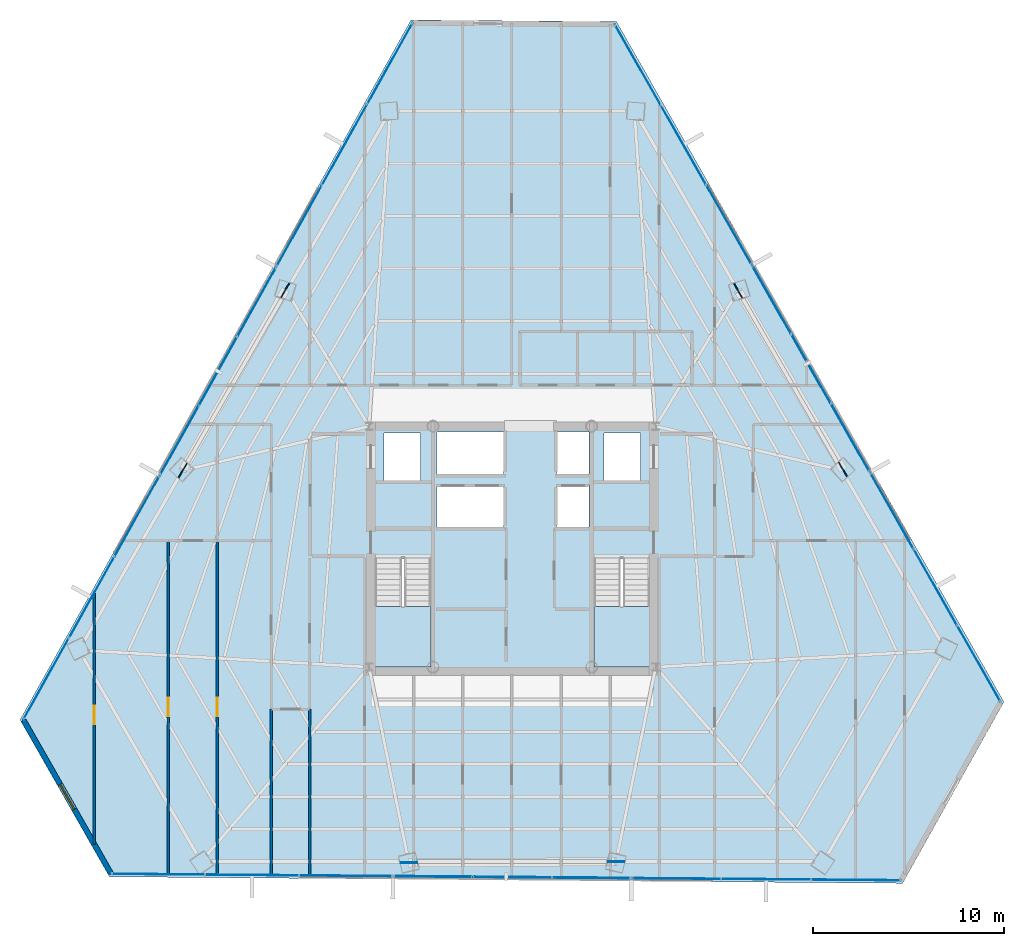
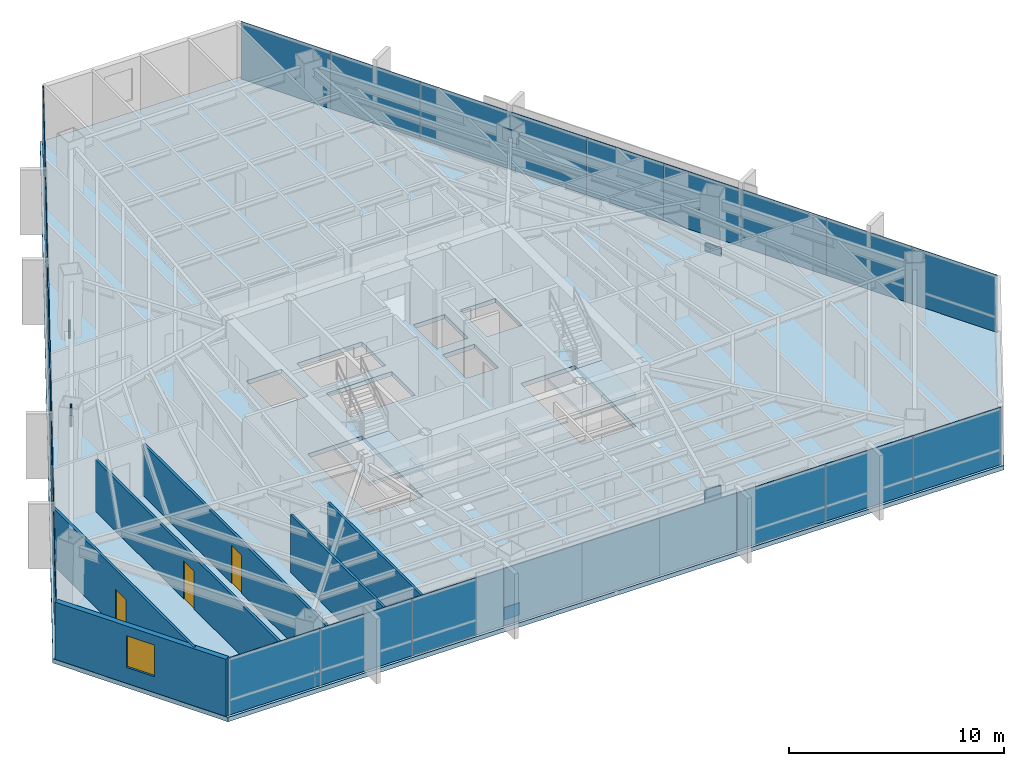
# One storey, part 33 of 40: 33 plates, 6 walls, 3 doors, 3 slabs, 1 window, 4 openings, 11 elements without a shape of their own.
"""IFC4 building model written with IfcOpenShell, lengths in metres."""

from ifc_helpers import new_model, si_unit, direction, frame, frame_2d, origin, origin_2d, place, context, subcontext, project, spatial, polyline, rectangle, outline, extrude, source, transform, mapped, material, layer, layer_set, type_object, type_shapes, element, fill, aggregate, save


model = new_model("IFC4")

# Units and contexts
model_context = context("Model", 3, precision=1e-05, world=origin(), true_north=direction((0.0, 1.0)))
body_context = subcontext(model_context, "Body", "Model", "MODEL_VIEW")
ifc_project = project(units=[si_unit("LENGTHUNIT", "METRE"), si_unit("AREAUNIT", "SQUARE_METRE"), si_unit("VOLUMEUNIT", "CUBIC_METRE"), si_unit("PLANEANGLEUNIT", "RADIAN"), si_unit("MASSUNIT", "GRAM", prefix="KILO")], contexts=[model_context])

# Site, building, storey
site_placement = place(None, origin())
site = spatial("IfcSite", under=ifc_project, at=site_placement, CompositionType="ELEMENT")
building_placement = place(site_placement, origin())
building = spatial("IfcBuilding", under=site, at=building_placement, Name="Caelisora Broadcast Tower", CompositionType="ELEMENT")
storey_placement = place(building_placement, frame((0.0, 0.0, 146.39990234375)))
storey = spatial("IfcBuildingStorey", under=building, at=storey_placement, Name="L38", CompositionType="ELEMENT", Elevation=146.39990234375)

# Slab
ifc_material_1 = material(Name="Concrete 40 MPa (AS 3600 N40)", Category="concrete")
ifc_layer_1 = layer(ifc_material_1, 0.25, Name="Concrete 40 MPa (AS 3600 N40)")
ifc_layer_set_1 = layer_set([ifc_layer_1], Name="Concrete 40 MPa (AS 3600 N40)")
slab_type_1 = type_object("IfcSlabType", Name="SL04", PredefinedType="FLOOR", material=ifc_layer_set_1)
slab_1_placement = place(storey_placement, frame((0.0, 0.0, -0.25)))
element("IfcSlab", 1, at=slab_1_placement, inside=storey, type_object=slab_type_1, Name="L38 suspended floor SL04", PredefinedType="FLOOR", context=body_context, shape_type="SweptSolid", body=[
    extrude(outline(polyline([(43.4560546875, 51.162109375), (32.697998046875, 51.2509765625), (12.2451171875, 14.64208984375), (16.922119140625, 6.430908203125), (58.41796875, 6.089111328125), (63.720947265625, 15.580078125), (43.4560546875, 51.162109375)]), holes=[polyline([(30.820068359375, 17.39990234375), (33.739990234375, 17.39990234375), (33.739990234375, 23.080078125), (30.820068359375, 23.080078125), (30.820068359375, 17.39990234375)]), polyline([(42.260009765625, 17.39990234375), (45.179931640625, 17.39990234375), (45.179931640625, 23.080078125), (42.260009765625, 23.080078125), (42.260009765625, 17.39990234375)]), polyline([(42.800048828125, 27.14990234375), (44.699951171875, 27.14990234375), (44.699951171875, 29.64990234375), (42.800048828125, 29.64990234375), (42.800048828125, 27.14990234375)]), polyline([(40.300048828125, 24.719970703125), (42.0, 24.719970703125), (42.0, 26.919921875), (40.300048828125, 26.919921875), (40.300048828125, 24.719970703125)]), polyline([(40.300048828125, 27.5), (42.0, 27.5), (42.0, 29.699951171875), (40.300048828125, 29.699951171875), (40.300048828125, 27.5)]), polyline([(34.050048828125, 24.719970703125), (37.550048828125, 24.719970703125), (37.550048828125, 26.919921875), (34.050048828125, 26.919921875), (34.050048828125, 24.719970703125)]), polyline([(34.050048828125, 27.5), (37.550048828125, 27.5), (37.550048828125, 29.699951171875), (34.050048828125, 29.699951171875), (34.050048828125, 27.5)]), polyline([(31.300048828125, 27.14990234375), (33.199951171875, 27.14990234375), (33.199951171875, 29.64990234375), (31.300048828125, 29.64990234375), (31.300048828125, 27.14990234375)])]), origin(), (0.0, 0.0, 1.0), 0.25),
])

# Stair, slab
stair_type_1 = type_object("IfcStairType", Name="ST-1", PredefinedType="HALF_TURN_STAIR", material=ifc_material_1)
stair_1_placement = place(storey_placement, origin())
stair_1 = element("IfcStair", 2, at=stair_1_placement, inside=storey, type_object=stair_type_1, Name="L38 West Fire-Isolated Tower Stair", PredefinedType="HALF_TURN_STAIR")
ifc_layer_2 = layer(ifc_material_1, 0.199951171875, Name="Concrete 40 MPa (AS 3600 N40)")
ifc_layer_set_2 = layer_set([ifc_layer_2], Name="Concrete 40 MPa (AS 3600 N40)")
slab_type_2 = type_object("IfcSlabType", Name="STL-1", PredefinedType="LANDING", material=ifc_layer_set_2)
slab_2_placement = place(storey_placement, frame((0.0, 0.0, 1.625)))
slab_2 = element("IfcSlab", 3, at=slab_2_placement, type_object=slab_type_2, Name="ST-1 landing 1", PredefinedType="LANDING", context=body_context, shape_type="SweptSolid", body=[
    extrude(outline(polyline([(30.820068359375, 20.580078125), (30.820068359375, 17.39990234375), (33.739990234375, 17.39990234375), (33.739990234375, 20.580078125), (30.820068359375, 20.580078125)])), origin(), (0.0, 0.0, 1.0), 0.2001953125),
])
aggregate(stair_1, [slab_2])

stair_type_2 = type_object("IfcStairType", Name="ST-2", PredefinedType="HALF_TURN_STAIR", material=ifc_material_1)
stair_2_placement = place(storey_placement, origin())
stair_2 = element("IfcStair", 4, at=stair_2_placement, inside=storey, type_object=stair_type_2, Name="L38 East Fire-Isolated Tower Stair", PredefinedType="HALF_TURN_STAIR")
slab_3_placement = place(storey_placement, frame((0.0, 0.0, 1.625)))
slab_3 = element("IfcSlab", 5, at=slab_3_placement, type_object=slab_type_2, Name="ST-2 landing 1", PredefinedType="LANDING", context=body_context, shape_type="SweptSolid", body=[
    extrude(outline(polyline([(42.260009765625, 20.580078125), (42.260009765625, 17.39990234375), (45.179931640625, 17.39990234375), (45.179931640625, 20.580078125), (42.260009765625, 20.580078125)])), origin(), (0.0, 0.0, 1.0), 0.2001953125),
])
aggregate(stair_2, [slab_3])

# Plates
ifc_material_2 = material(Name="Steel Grade 350 L15 (AS/NZS 3678)", Category="steel")
ifc_layer_3 = layer(ifc_material_2, 0.050048828125, Name="Steel Grade 350 L15 (AS/NZS 3678)")
ifc_layer_set_3 = layer_set([ifc_layer_3], Name="Steel Grade 350 L15 (AS/NZS 3678)")
plate_type_1 = type_object("IfcPlateType", Name="GP03", PredefinedType="USERDEFINED", material=ifc_layer_set_3)
shared_shape_1 = source(origin(), body_context, "Body", "SweptSolid", [
    extrude(rectangle(XDim=0.85009765625, YDim=0.050048828125, at=origin_2d()), origin(), (0.0, 0.0, 1.0), 0.699951171875),
])
type_shapes(plate_type_1, [shared_shape_1])
for number, where, z_axis, x_axis, name in (
    (6, (26.115478515625, 37.109375, -0.22998046875), (0.0, 0.0, 1.0), (-0.5, -0.866025403784, 0.0), "L38 gusset plate GP03 (ND-L38-C02B)"),
    (7, (20.75927734375, 27.687255859375, 2.580078125), (0.0, 0.0, 1.0), (-0.5, -0.866025403784, 0.0), "L38 gusset plate GP03 (ND-L38-C03T)"),
    (8, (32.589111328125, 7.153076171875, -0.22998046875), (0.0, 0.0, 1.0), (1.0, 0.0, 0.0), "L38 gusset plate GP03 (ND-L38-C06B)"),
    (9, (43.42724609375, 7.225341796875, 2.580078125), (0.0, 0.0, 1.0), (1.0, 0.0, 0.0), "L38 gusset plate GP03 (ND-L38-C07T)"),
    (10, (55.295166015625, 27.737548828125, -0.22998046875), (0.0, 0.0, 1.0), (-0.5, 0.866025403784, 0.0), "L38 gusset plate GP03 (ND-L38-C10B)"),
    (11, (49.813720703125, 37.08740234375, 2.580078125), (0.0, 0.0, 1.0), (-0.5, 0.866025403784, 0.0), "L38 gusset plate GP03 (ND-L38-C11T)"),
):
    element("IfcPlate", number, at=place(storey_placement, frame(where, z_axis=z_axis, x_axis=x_axis)), inside=storey, type_object=plate_type_1, Name=name, ObjectType="GUSSET PLATE", PredefinedType="USERDEFINED", context=body_context, shape_type="MappedRepresentation", body=[
        mapped(shared_shape_1, transform((0.0, 0.0, 0.0), scale=1.0)),
    ])

# Curtain wall, plates
ifc_material_3 = material(Name="Unitised Aluminium and Low-E Glass Curtain Wall", Category="glass")
curtain_wall_type_1 = type_object("IfcCurtainWallType", Name="CW-Z3", PredefinedType="NOTDEFINED", material=ifc_material_3)
curtain_wall_1_placement = place(storey_placement, origin())
curtain_wall_1 = element("IfcCurtainWall", 12, at=curtain_wall_1_placement, inside=storey, type_object=curtain_wall_type_1, Name="L38 curtain wall CW-Z3", PredefinedType="NOTDEFINED")
ifc_material_4 = material(Name="Double Glazed Low-E Argon IGU", Category="glass")
ifc_layer_4 = layer(ifc_material_4, 0.031982421875, Name="Double Glazed Low-E Argon IGU")
ifc_layer_set_4 = layer_set([ifc_layer_4], Name="Double Glazed Low-E Argon IGU")
plate_type_2 = type_object("IfcPlateType", Name="CWP-04", PredefinedType="CURTAIN_PANEL", material=ifc_layer_set_4)
shared_shape_2 = source(origin(), body_context, "Body", "SweptSolid", [
    extrude(rectangle(XDim=4.825439453125, YDim=0.031982421875, at=origin_2d()), origin(), (0.0, 0.0, 1.0), 3.25),
])
plate_1_placement = place(storey_placement, frame((44.56201171875, 48.91650390625, 0.0), z_axis=(0.0, 0.0, 1.0), x_axis=(0.494852128545, -0.868977198133, 0.0)))
plate_1 = element("IfcPlate", 13, at=plate_1_placement, type_object=plate_type_2, Name="L38-CW-B01 glazed panel #1", PredefinedType="CURTAIN_PANEL", context=body_context, shape_type="MappedRepresentation", body=[
    mapped(shared_shape_2, transform((0.0, 0.0, 0.0), scale=1.0)),
])
plate_2_placement = place(storey_placement, frame((46.9501953125, 44.723388671875, 0.0), z_axis=(0.0, 0.0, 1.0), x_axis=(0.494852128545, -0.868977198133, 0.0)))
plate_2 = element("IfcPlate", 14, at=plate_2_placement, type_object=plate_type_2, Name="L38-CW-B01 glazed panel #2", PredefinedType="CURTAIN_PANEL", context=body_context, shape_type="MappedRepresentation", body=[
    mapped(shared_shape_2, transform((0.0, 0.0, 0.0), scale=1.0)),
])
plate_3_placement = place(storey_placement, frame((49.33837890625, 40.530029296875, 0.0), z_axis=(0.0, 0.0, 1.0), x_axis=(0.494852128545, -0.868977198133, 0.0)))
plate_3 = element("IfcPlate", 15, at=plate_3_placement, type_object=plate_type_2, Name="L38-CW-B01 glazed panel #3", PredefinedType="CURTAIN_PANEL", context=body_context, shape_type="MappedRepresentation", body=[
    mapped(shared_shape_2, transform((0.0, 0.0, 0.0), scale=1.0)),
])
aggregate(curtain_wall_1, [plate_1, plate_2, plate_3])

ifc_material_5 = material(Name="Unitised Aluminium Insulated Shadow-Box Spandrel Curtain Wall", Category="aluminium")
curtain_wall_type_2 = type_object("IfcCurtainWallType", Name="CW-SP2", PredefinedType="NOTDEFINED", material=ifc_material_5)
curtain_wall_2_placement = place(storey_placement, origin())
curtain_wall_2 = element("IfcCurtainWall", 16, at=curtain_wall_2_placement, inside=storey, type_object=curtain_wall_type_2, Name="L38 curtain wall CW-SP2", PredefinedType="NOTDEFINED")
ifc_material_6 = material(Name="Insulated Terracotta Shadow-Box Spandrel Panel", Category="aluminium")
ifc_layer_5 = layer(ifc_material_6, 0.0439453125, Name="Insulated Terracotta Shadow-Box Spandrel Panel")
ifc_layer_set_5 = layer_set([ifc_layer_5], Name="Insulated Terracotta Shadow-Box Spandrel Panel")
plate_type_3 = type_object("IfcPlateType", Name="CWP-10", PredefinedType="CURTAIN_PANEL", material=ifc_layer_set_5)
shared_shape_3 = source(origin(), body_context, "Body", "SweptSolid", [
    extrude(rectangle(XDim=4.15380859375, YDim=0.0439453125, at=origin_2d()), origin(), (0.0, 0.0, 1.0), 3.25),
])
plate_4_placement = place(storey_placement, frame((51.565185546875, 36.6201171875, 0.0), z_axis=(0.0, 0.0, 1.0), x_axis=(0.494852128545, -0.868977198133, 0.0)))
plate_4 = element("IfcPlate", 17, at=plate_4_placement, type_object=plate_type_3, Name="L38-CW-B02 spandrel panel #1", PredefinedType="CURTAIN_PANEL", context=body_context, shape_type="MappedRepresentation", body=[
    mapped(shared_shape_3, transform((0.0, 0.0, 0.0), scale=1.0)),
])
plate_5_placement = place(storey_placement, frame((53.62109375, 33.0107421875, 0.0), z_axis=(0.0, 0.0, 1.0), x_axis=(0.494852128545, -0.868977198133, 0.0)))
plate_5 = element("IfcPlate", 18, at=plate_5_placement, type_object=plate_type_3, Name="L38-CW-B02 spandrel panel #2", PredefinedType="CURTAIN_PANEL", context=body_context, shape_type="MappedRepresentation", body=[
    mapped(shared_shape_3, transform((0.0, 0.0, 0.0), scale=1.0)),
])
plate_6_placement = place(storey_placement, frame((55.6767578125, 29.4013671875, 0.0), z_axis=(0.0, 0.0, 1.0), x_axis=(0.494852128545, -0.868977198133, 0.0)))
plate_6 = element("IfcPlate", 19, at=plate_6_placement, type_object=plate_type_3, Name="L38-CW-B02 spandrel panel #3", PredefinedType="CURTAIN_PANEL", context=body_context, shape_type="MappedRepresentation", body=[
    mapped(shared_shape_3, transform((0.0, 0.0, 0.0), scale=1.0)),
])
aggregate(curtain_wall_2, [plate_4, plate_5, plate_6])

curtain_wall_3_placement = place(storey_placement, origin())
curtain_wall_3 = element("IfcCurtainWall", 20, at=curtain_wall_3_placement, inside=storey, type_object=curtain_wall_type_2, Name="L38 curtain wall CW-SP2", PredefinedType="NOTDEFINED")
plate_7_placement = place(storey_placement, frame((42.1474609375, 6.373291015625, 0.0), z_axis=(0.0, 0.0, 1.0), x_axis=(-0.999966355195, 0.008202955488, 0.0)))
plate_7 = element("IfcPlate", 21, at=plate_7_placement, type_object=plate_type_3, Name="L38-CW-B06 spandrel panel #1", PredefinedType="CURTAIN_PANEL", context=body_context, shape_type="MappedRepresentation", body=[
    mapped(shared_shape_3, transform((0.0, 0.0, 0.0), scale=1.0)),
])
plate_8_placement = place(storey_placement, frame((37.993896484375, 6.4072265625, 0.0), z_axis=(0.0, 0.0, 1.0), x_axis=(-0.999966355195, 0.008202955488, 0.0)))
plate_8 = element("IfcPlate", 22, at=plate_8_placement, type_object=plate_type_3, Name="L38-CW-B06 spandrel panel #2", PredefinedType="CURTAIN_PANEL", context=body_context, shape_type="MappedRepresentation", body=[
    mapped(shared_shape_3, transform((0.0, 0.0, 0.0), scale=1.0)),
])
plate_9_placement = place(storey_placement, frame((33.84033203125, 6.44140625, 0.0), z_axis=(0.0, 0.0, 1.0), x_axis=(-0.999966355195, 0.008202955488, 0.0)))
plate_9 = element("IfcPlate", 23, at=plate_9_placement, type_object=plate_type_3, Name="L38-CW-B06 spandrel panel #3", PredefinedType="CURTAIN_PANEL", context=body_context, shape_type="MappedRepresentation", body=[
    mapped(shared_shape_3, transform((0.0, 0.0, 0.0), scale=1.0)),
])
aggregate(curtain_wall_3, [plate_7, plate_8, plate_9])

curtain_wall_4_placement = place(storey_placement, origin())
curtain_wall_4 = element("IfcCurtainWall", 24, at=curtain_wall_4_placement, inside=storey, type_object=curtain_wall_type_1, Name="L38 curtain wall CW-Z3", PredefinedType="NOTDEFINED")
shared_shape_4 = source(origin(), body_context, "Body", "SweptSolid", [
    extrude(rectangle(XDim=4.606689453125, YDim=0.031982421875, at=origin_2d()), origin(), (0.0, 0.0, 1.0), 3.25),
])
plate_10_placement = place(storey_placement, frame((57.849365234375, 25.58642578125, 0.0), z_axis=(0.0, 0.0, 1.0), x_axis=(0.494852128545, -0.868977198133, 0.0)))
plate_10 = element("IfcPlate", 25, at=plate_10_placement, type_object=plate_type_2, Name="L38-CW-B03 glazed panel #1", PredefinedType="CURTAIN_PANEL", context=body_context, shape_type="MappedRepresentation", body=[
    mapped(shared_shape_4, transform((0.0, 0.0, 0.0), scale=1.0)),
])
plate_11_placement = place(storey_placement, frame((60.129150390625, 21.58349609375, 0.0), z_axis=(0.0, 0.0, 1.0), x_axis=(0.494852128545, -0.868977198133, 0.0)))
plate_11 = element("IfcPlate", 26, at=plate_11_placement, type_object=plate_type_2, Name="L38-CW-B03 glazed panel #2", PredefinedType="CURTAIN_PANEL", context=body_context, shape_type="MappedRepresentation", body=[
    mapped(shared_shape_4, transform((0.0, 0.0, 0.0), scale=1.0)),
])
plate_12_placement = place(storey_placement, frame((62.4091796875, 17.58056640625, 0.0), z_axis=(0.0, 0.0, 1.0), x_axis=(0.494852128545, -0.868977198133, 0.0)))
plate_12 = element("IfcPlate", 27, at=plate_12_placement, type_object=plate_type_2, Name="L38-CW-B03 glazed panel #3", PredefinedType="CURTAIN_PANEL", context=body_context, shape_type="MappedRepresentation", body=[
    mapped(shared_shape_4, transform((0.0, 0.0, 0.0), scale=1.0)),
])
aggregate(curtain_wall_4, [plate_10, plate_11, plate_12])

curtain_wall_5_placement = place(storey_placement, origin())
curtain_wall_5 = element("IfcCurtainWall", 28, at=curtain_wall_5_placement, inside=storey, type_object=curtain_wall_type_1, Name="L38 curtain wall CW-Z3", PredefinedType="NOTDEFINED")
shared_shape_5 = source(origin(), body_context, "Body", "SweptSolid", [
    extrude(rectangle(XDim=4.69873046875, YDim=0.031982421875, at=origin_2d()), origin(), (0.0, 0.0, 1.0), 3.25),
])
plate_13_placement = place(storey_placement, frame((55.980712890625, 6.25927734375, 0.0), z_axis=(0.0, 0.0, 1.0), x_axis=(-0.999966355195, 0.008202955488, 0.0)))
plate_13 = element("IfcPlate", 29, at=plate_13_placement, type_object=plate_type_2, Name="L38-CW-B05 glazed panel #1", PredefinedType="CURTAIN_PANEL", context=body_context, shape_type="MappedRepresentation", body=[
    mapped(shared_shape_5, transform((0.0, 0.0, 0.0), scale=1.0)),
])
plate_14_placement = place(storey_placement, frame((51.281982421875, 6.298095703125, 0.0), z_axis=(0.0, 0.0, 1.0), x_axis=(-0.999966355195, 0.008202955488, 0.0)))
plate_14 = element("IfcPlate", 30, at=plate_14_placement, type_object=plate_type_2, Name="L38-CW-B05 glazed panel #2", PredefinedType="CURTAIN_PANEL", context=body_context, shape_type="MappedRepresentation", body=[
    mapped(shared_shape_5, transform((0.0, 0.0, 0.0), scale=1.0)),
])
plate_15_placement = place(storey_placement, frame((46.58349609375, 6.336669921875, 0.0), z_axis=(0.0, 0.0, 1.0), x_axis=(-0.999966355195, 0.008202955488, 0.0)))
plate_15 = element("IfcPlate", 31, at=plate_15_placement, type_object=plate_type_2, Name="L38-CW-B05 glazed panel #3", PredefinedType="CURTAIN_PANEL", context=body_context, shape_type="MappedRepresentation", body=[
    mapped(shared_shape_5, transform((0.0, 0.0, 0.0), scale=1.0)),
])
aggregate(curtain_wall_5, [plate_13, plate_14, plate_15])

curtain_wall_6_placement = place(storey_placement, origin())
curtain_wall_6 = element("IfcCurtainWall", 32, at=curtain_wall_6_placement, inside=storey, type_object=curtain_wall_type_1, Name="L38 curtain wall CW-Z3", PredefinedType="NOTDEFINED")
shared_shape_6 = source(origin(), body_context, "Body", "SweptSolid", [
    extrude(rectangle(XDim=4.914794921875, YDim=0.031982421875, at=origin_2d()), origin(), (0.0, 0.0, 1.0), 3.25),
])
plate_16_placement = place(storey_placement, frame((29.296142578125, 6.47900390625, 0.0), z_axis=(0.0, 0.0, 1.0), x_axis=(-0.999966355195, 0.008202955488, 0.0)))
plate_16 = element("IfcPlate", 33, at=plate_16_placement, type_object=plate_type_2, Name="L38-CW-B07 glazed panel #1", PredefinedType="CURTAIN_PANEL", context=body_context, shape_type="MappedRepresentation", body=[
    mapped(shared_shape_6, transform((0.0, 0.0, 0.0), scale=1.0)),
])
plate_17_placement = place(storey_placement, frame((24.381591796875, 6.519287109375, 0.0), z_axis=(0.0, 0.0, 1.0), x_axis=(-0.999966355195, 0.008202955488, 0.0)))
plate_17 = element("IfcPlate", 34, at=plate_17_placement, type_object=plate_type_2, Name="L38-CW-B07 glazed panel #2", PredefinedType="CURTAIN_PANEL", context=body_context, shape_type="MappedRepresentation", body=[
    mapped(shared_shape_6, transform((0.0, 0.0, 0.0), scale=1.0)),
])
plate_18_placement = place(storey_placement, frame((19.46728515625, 6.559814453125, 0.0), z_axis=(0.0, 0.0, 1.0), x_axis=(-0.999966355195, 0.008202955488, 0.0)))
plate_18 = element("IfcPlate", 35, at=plate_18_placement, type_object=plate_type_2, Name="L38-CW-B07 glazed panel #3", PredefinedType="CURTAIN_PANEL", context=body_context, shape_type="MappedRepresentation", body=[
    mapped(shared_shape_6, transform((0.0, 0.0, 0.0), scale=1.0)),
])
aggregate(curtain_wall_6, [plate_16, plate_17, plate_18])

curtain_wall_7_placement = place(storey_placement, origin())
curtain_wall_7 = element("IfcCurtainWall", 36, at=curtain_wall_7_placement, inside=storey, type_object=curtain_wall_type_1, Name="L38 curtain wall CW-Z3", PredefinedType="NOTDEFINED")
shared_shape_7 = source(origin(), body_context, "Body", "SweptSolid", [
    extrude(rectangle(XDim=4.881103515625, YDim=0.031982421875, at=origin_2d()), origin(), (0.0, 0.0, 1.0), 3.25),
])
plate_19_placement = place(storey_placement, frame((13.607421875, 16.773681640625, 0.0), z_axis=(0.0, 0.0, 1.0), x_axis=(0.487707298065, 0.873007211547, 0.0)))
plate_19 = element("IfcPlate", 37, at=plate_19_placement, type_object=plate_type_2, Name="L38-CW-B09 glazed panel #1", PredefinedType="CURTAIN_PANEL", context=body_context, shape_type="MappedRepresentation", body=[
    mapped(shared_shape_7, transform((0.0, 0.0, 0.0), scale=1.0)),
])
plate_20_placement = place(storey_placement, frame((15.98828125, 21.034912109375, 0.0), z_axis=(0.0, 0.0, 1.0), x_axis=(0.487707298065, 0.873007211547, 0.0)))
plate_20 = element("IfcPlate", 38, at=plate_20_placement, type_object=plate_type_2, Name="L38-CW-B09 glazed panel #2", PredefinedType="CURTAIN_PANEL", context=body_context, shape_type="MappedRepresentation", body=[
    mapped(shared_shape_7, transform((0.0, 0.0, 0.0), scale=1.0)),
])
plate_21_placement = place(storey_placement, frame((18.368896484375, 25.296142578125, 0.0), z_axis=(0.0, 0.0, 1.0), x_axis=(0.487707298065, 0.873007211547, 0.0)))
plate_21 = element("IfcPlate", 39, at=plate_21_placement, type_object=plate_type_2, Name="L38-CW-B09 glazed panel #3", PredefinedType="CURTAIN_PANEL", context=body_context, shape_type="MappedRepresentation", body=[
    mapped(shared_shape_7, transform((0.0, 0.0, 0.0), scale=1.0)),
])
aggregate(curtain_wall_7, [plate_19, plate_20, plate_21])

curtain_wall_8_placement = place(storey_placement, origin())
curtain_wall_8 = element("IfcCurtainWall", 40, at=curtain_wall_8_placement, inside=storey, type_object=curtain_wall_type_2, Name="L38 curtain wall CW-SP2", PredefinedType="NOTDEFINED")
shared_shape_8 = source(origin(), body_context, "Body", "SweptSolid", [
    extrude(rectangle(XDim=4.153564453125, YDim=0.0439453125, at=origin_2d()), origin(), (0.0, 0.0, 1.0), 3.25),
])
type_shapes(plate_type_3, [shared_shape_3, shared_shape_8])
plate_22_placement = place(storey_placement, frame((20.577392578125, 29.24853515625, 0.0), z_axis=(0.0, 0.0, 1.0), x_axis=(0.487707298065, 0.873007211547, 0.0)))
plate_22 = element("IfcPlate", 41, at=plate_22_placement, type_object=plate_type_3, Name="L38-CW-B10 spandrel panel #1", PredefinedType="CURTAIN_PANEL", context=body_context, shape_type="MappedRepresentation", body=[
    mapped(shared_shape_8, transform((0.0, 0.0, 0.0), scale=1.0)),
])
plate_23_placement = place(storey_placement, frame((22.60302734375, 32.87451171875, 0.0), z_axis=(0.0, 0.0, 1.0), x_axis=(0.487707298065, 0.873007211547, 0.0)))
plate_23 = element("IfcPlate", 42, at=plate_23_placement, type_object=plate_type_3, Name="L38-CW-B10 spandrel panel #2", PredefinedType="CURTAIN_PANEL", context=body_context, shape_type="MappedRepresentation", body=[
    mapped(shared_shape_8, transform((0.0, 0.0, 0.0), scale=1.0)),
])
plate_24_placement = place(storey_placement, frame((24.62890625, 36.500244140625, 0.0), z_axis=(0.0, 0.0, 1.0), x_axis=(0.487707298065, 0.873007211547, 0.0)))
plate_24 = element("IfcPlate", 43, at=plate_24_placement, type_object=plate_type_3, Name="L38-CW-B10 spandrel panel #3", PredefinedType="CURTAIN_PANEL", context=body_context, shape_type="MappedRepresentation", body=[
    mapped(shared_shape_8, transform((0.0, 0.0, 0.0), scale=1.0)),
])
aggregate(curtain_wall_8, [plate_22, plate_23, plate_24])

curtain_wall_9_placement = place(storey_placement, origin())
curtain_wall_9 = element("IfcCurtainWall", 44, at=curtain_wall_9_placement, inside=storey, type_object=curtain_wall_type_1, Name="L38 curtain wall CW-Z3", PredefinedType="NOTDEFINED")
shared_shape_9 = source(origin(), body_context, "Body", "SweptSolid", [
    extrude(rectangle(XDim=4.87890625, YDim=0.031982421875, at=origin_2d()), origin(), (0.0, 0.0, 1.0), 3.25),
])
type_shapes(plate_type_2, [shared_shape_2, shared_shape_4, shared_shape_5, shared_shape_6, shared_shape_7, shared_shape_9])
plate_25_placement = place(storey_placement, frame((26.836669921875, 40.45166015625, 0.0), z_axis=(0.0, 0.0, 1.0), x_axis=(0.487707298065, 0.873007211547, 0.0)))
plate_25 = element("IfcPlate", 45, at=plate_25_placement, type_object=plate_type_2, Name="L38-CW-B11 glazed panel #1", PredefinedType="CURTAIN_PANEL", context=body_context, shape_type="MappedRepresentation", body=[
    mapped(shared_shape_9, transform((0.0, 0.0, 0.0), scale=1.0)),
])
plate_26_placement = place(storey_placement, frame((29.21630859375, 44.7109375, 0.0), z_axis=(0.0, 0.0, 1.0), x_axis=(0.487707298065, 0.873007211547, 0.0)))
plate_26 = element("IfcPlate", 46, at=plate_26_placement, type_object=plate_type_2, Name="L38-CW-B11 glazed panel #2", PredefinedType="CURTAIN_PANEL", context=body_context, shape_type="MappedRepresentation", body=[
    mapped(shared_shape_9, transform((0.0, 0.0, 0.0), scale=1.0)),
])
plate_27_placement = place(storey_placement, frame((31.59619140625, 48.97021484375, 0.0), z_axis=(0.0, 0.0, 1.0), x_axis=(0.487707298065, 0.873007211547, 0.0)))
plate_27 = element("IfcPlate", 47, at=plate_27_placement, type_object=plate_type_2, Name="L38-CW-B11 glazed panel #3", PredefinedType="CURTAIN_PANEL", context=body_context, shape_type="MappedRepresentation", body=[
    mapped(shared_shape_9, transform((0.0, 0.0, 0.0), scale=1.0)),
])
aggregate(curtain_wall_9, [plate_25, plate_26, plate_27])

# Wall, opening, window
ifc_material_7 = material(Name="Insulated Terracotta Spandrel Wall System", Category="masonry")
ifc_layer_6 = layer(ifc_material_7, 0.280029296875, Name="Insulated Terracotta Spandrel Wall System")
ifc_layer_set_6 = layer_set([ifc_layer_6], Name="Insulated Terracotta Spandrel Wall System")
wall_type_1 = type_object("IfcWallType", Name="EW1", PredefinedType="STANDARD", material=ifc_layer_set_6)
wall_1_placement = place(storey_placement, frame((16.9951171875, 6.606201171875, 0.0), z_axis=(0.0, 0.0, 1.0), x_axis=(-0.494966372777, 0.868912130092, 0.0)))
wall_1 = element("IfcWall", 48, at=wall_1_placement, inside=storey, type_object=wall_type_1, Name="L38 exterior envelope wall EW1", PredefinedType="STANDARD", context=body_context, shape_type="SweptSolid", body=[
    extrude(rectangle(XDim=9.21923828125, YDim=0.280029296875, at=frame_2d((4.609619140625, 0.0))), origin(), (0.0, 0.0, 1.0), 3.25),
])
opening_1_placement = place(wall_1_placement, frame((3.860107421875, 0.0, 0.89990234375)))
opening_1 = element("IfcOpeningElement", 49, at=opening_1_placement, cuts=wall_1, Name="Opening W02", PredefinedType="OPENING", context=body_context, shape_type="SweptSolid", body=[
    extrude(rectangle(XDim=1.5, YDim=1.800048828125, at=frame_2d((0.75, 0.89990234375))), frame((0.0, 0.152099609375, 0.0), z_axis=(0.0, -1.0, 0.0), x_axis=(1.0, 0.0, 0.0)), (0.0, 0.0, 1.0), 0.303955078125),
])
ifc_material_8 = material(Name="Double Glazed Terracotta-Framed Vision Window", Category="glass")
window_type = type_object("IfcWindowType", Name="W02", PartitioningType="SINGLE_PANEL", PredefinedType="WINDOW", material=ifc_material_8)
window_placement = place(opening_1_placement, origin())
window = element("IfcWindow", 50, at=window_placement, inside=storey, type_object=window_type, Name="L38 window W02 (L38-WN-CH4)", OverallHeight=1.800048828125, OverallWidth=1.5, PartitioningType="SINGLE_PANEL", PredefinedType="WINDOW", context=body_context, shape_type="SweptSolid", body=[
    extrude(rectangle(XDim=1.5, YDim=1.800048828125, at=frame_2d((0.75, 0.89990234375))), frame((0.0, 0.030029296875, 0.0), z_axis=(0.0, -1.0, 0.0), x_axis=(1.0, 0.0, 0.0)), (0.0, 0.0, 1.0), 0.06005859375),
])
fill(opening_1, window)

# Wall, opening, door
ifc_material_9 = material(Name="Acoustic Steel-Stud Plasterboard Partition", Category="gypsum")
ifc_layer_7 = layer(ifc_material_9, 0.1298828125, Name="Acoustic Steel-Stud Plasterboard Partition")
ifc_layer_set_7 = layer_set([ifc_layer_7], Name="Acoustic Steel-Stud Plasterboard Partition")
wall_type_2 = type_object("IfcWallType", Name="PW3", PredefinedType="PARTITIONING", material=ifc_layer_set_7)
wall_2_placement = place(storey_placement, frame((22.570068359375, 6.529541015625, 0.0), z_axis=(0.0, 0.0, 1.0), x_axis=(0.0, 1.0, 0.0)))
wall_2 = element("IfcWall", 51, at=wall_2_placement, inside=storey, type_object=wall_type_2, Name="L38 internal partition PW3", PredefinedType="PARTITIONING", context=body_context, shape_type="SweptSolid", body=[
    extrude(rectangle(XDim=17.465576171875, YDim=0.1298828125, at=frame_2d((8.73291015625, 0.0))), origin(), (0.0, 0.0, 1.0), 2.927978515625),
])
opening_2_placement = place(wall_2_placement, frame((8.302978515625, 0.0, 0.0)))
opening_2 = element("IfcOpeningElement", 52, at=opening_2_placement, cuts=wall_2, Name="Opening D01", PredefinedType="OPENING", context=body_context, shape_type="SweptSolid", body=[
    extrude(rectangle(XDim=0.9599609375, YDim=2.14990234375, at=frame_2d((0.47998046875, 1.074951171875))), frame((0.0, 0.076904296875, 0.0), z_axis=(0.0, -1.0, 0.0), x_axis=(1.0, 0.0, 0.0)), (0.0, 0.0, 1.0), 0.15380859375),
])
ifc_material_10 = material(Name="Solid-Core Timber Acoustic Office Door", Category="wood")
door_type = type_object("IfcDoorType", Name="D01", OperationType="NOTDEFINED", PredefinedType="DOOR", material=ifc_material_10)
door_1_placement = place(opening_2_placement, origin())
door_1 = element("IfcDoor", 53, at=door_1_placement, inside=storey, type_object=door_type, Name="L38 door D01 (L38-DR-P33D1)", OperationType="SINGLE_SWING_RIGHT", OverallHeight=2.14990234375, OverallWidth=0.9599609375, PredefinedType="DOOR", context=body_context, shape_type="SweptSolid", body=[
    extrude(rectangle(XDim=0.9599609375, YDim=2.14990234375, at=frame_2d((0.47998046875, 1.074951171875))), frame((0.0, 0.02490234375, 0.0), z_axis=(0.0, -1.0, 0.0), x_axis=(1.0, 0.0, 0.0)), (0.0, 0.0, 1.0), 0.050048828125),
])
fill(opening_2, door_1)

wall_3_placement = place(storey_placement, frame((20.010009765625, 6.550537109375, 0.0), z_axis=(0.0, 0.0, 1.0), x_axis=(0.0, 1.0, 0.0)))
wall_3 = element("IfcWall", 54, at=wall_3_placement, inside=storey, type_object=wall_type_2, Name="L38 internal partition PW3", PredefinedType="PARTITIONING", context=body_context, shape_type="SweptSolid", body=[
    extrude(rectangle(XDim=17.444580078125, YDim=0.1298828125, at=frame_2d((8.72216796875, 0.0))), origin(), (0.0, 0.0, 1.0), 2.927978515625),
])
opening_3_placement = place(wall_3_placement, frame((8.287109375, 0.0, 0.0)))
opening_3 = element("IfcOpeningElement", 55, at=opening_3_placement, cuts=wall_3, Name="Opening D01", PredefinedType="OPENING", context=body_context, shape_type="SweptSolid", body=[
    extrude(rectangle(XDim=0.9599609375, YDim=2.14990234375, at=frame_2d((0.47998046875, 1.074951171875))), frame((0.0, 0.076904296875, 0.0), z_axis=(0.0, -1.0, 0.0), x_axis=(1.0, 0.0, 0.0)), (0.0, 0.0, 1.0), 0.15380859375),
])
door_2_placement = place(opening_3_placement, origin())
door_2 = element("IfcDoor", 56, at=door_2_placement, inside=storey, type_object=door_type, Name="L38 door D01 (L38-DR-P34D1)", OperationType="SINGLE_SWING_LEFT", OverallHeight=2.14990234375, OverallWidth=0.9599609375, PredefinedType="DOOR", context=body_context, shape_type="SweptSolid", body=[
    extrude(rectangle(XDim=0.9599609375, YDim=2.14990234375, at=frame_2d((0.47998046875, 1.074951171875))), frame((0.0, 0.02490234375, 0.0), z_axis=(0.0, -1.0, 0.0), x_axis=(1.0, 0.0, 0.0)), (0.0, 0.0, 1.0), 0.050048828125),
])
fill(opening_3, door_2)

wall_4_placement = place(storey_placement, frame((16.1201171875, 8.132080078125, 0.0), z_axis=(0.0, 0.0, 1.0), x_axis=(0.0, 1.0, 0.0)))
wall_4 = element("IfcWall", 57, at=wall_4_placement, inside=storey, type_object=wall_type_2, Name="L38 internal partition PW3", PredefinedType="PARTITIONING", context=body_context, shape_type="SweptSolid", body=[
    extrude(rectangle(XDim=13.1484375, YDim=0.1298828125, at=frame_2d((6.57421875, 0.0))), origin(), (0.0, 0.0, 1.0), 3.25),
])
opening_4_placement = place(wall_4_placement, frame((6.2900390625, 0.0, 0.0)))
opening_4 = element("IfcOpeningElement", 58, at=opening_4_placement, cuts=wall_4, Name="Opening D01", PredefinedType="OPENING", context=body_context, shape_type="SweptSolid", body=[
    extrude(rectangle(XDim=0.9599609375, YDim=2.14990234375, at=frame_2d((0.47998046875, 1.074951171875))), frame((0.0, 0.076904296875, 0.0), z_axis=(0.0, -1.0, 0.0), x_axis=(1.0, 0.0, 0.0)), (0.0, 0.0, 1.0), 0.15380859375),
])
door_3_placement = place(opening_4_placement, origin())
door_3 = element("IfcDoor", 59, at=door_3_placement, inside=storey, type_object=door_type, Name="L38 door D01 (L38-DR-P41D1)", OperationType="SINGLE_SWING_LEFT", OverallHeight=2.14990234375, OverallWidth=0.9599609375, PredefinedType="DOOR", context=body_context, shape_type="SweptSolid", body=[
    extrude(rectangle(XDim=0.9599609375, YDim=2.14990234375, at=frame_2d((0.47998046875, 1.074951171875))), frame((0.0, 0.02490234375, 0.0), z_axis=(0.0, -1.0, 0.0), x_axis=(1.0, 0.0, 0.0)), (0.0, 0.0, 1.0), 0.050048828125),
])
fill(opening_4, door_3)

# Walls
wall_5_placement = place(storey_placement, frame((27.39990234375, 6.489501953125, 0.0), z_axis=(0.0, 0.0, 1.0), x_axis=(0.0, 1.0, 0.0)))
element("IfcWall", 60, at=wall_5_placement, inside=storey, type_object=wall_type_2, Name="L38 internal partition PW3", PredefinedType="PARTITIONING", context=body_context, shape_type="SweptSolid", body=[
    extrude(rectangle(XDim=8.70556640625, YDim=0.1298828125, at=frame_2d((4.352783203125, 0.0))), origin(), (0.0, 0.0, 1.0), 3.25),
])
wall_6_placement = place(storey_placement, frame((25.39990234375, 6.506103515625, 0.0), z_axis=(0.0, 0.0, 1.0), x_axis=(0.0, 1.0, 0.0)))
element("IfcWall", 61, at=wall_6_placement, inside=storey, type_object=wall_type_2, Name="L38 internal partition PW3", PredefinedType="PARTITIONING", context=body_context, shape_type="SweptSolid", body=[
    extrude(rectangle(XDim=8.68896484375, YDim=0.1298828125, at=frame_2d((4.344482421875, 0.0))), origin(), (0.0, 0.0, 1.0), 3.25),
])

save(model, "model.ifc")
